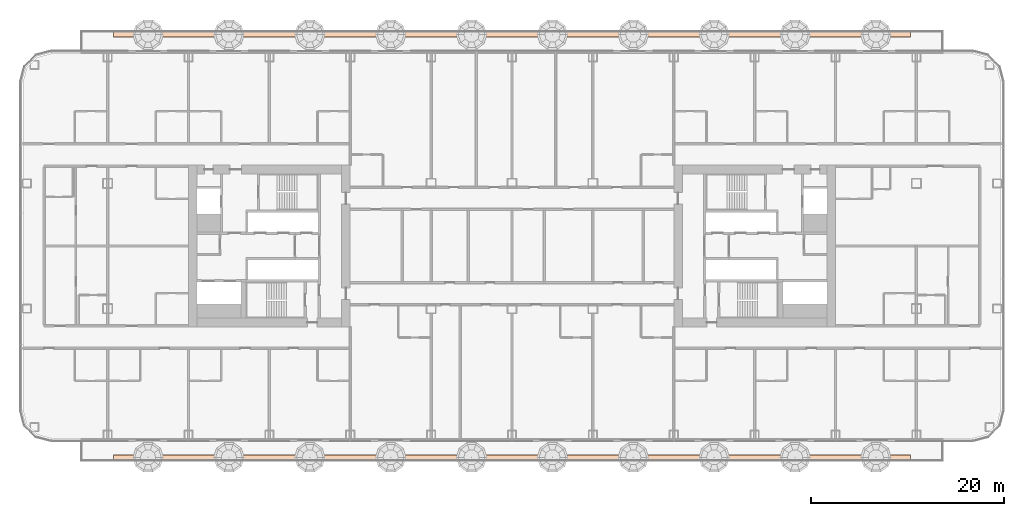
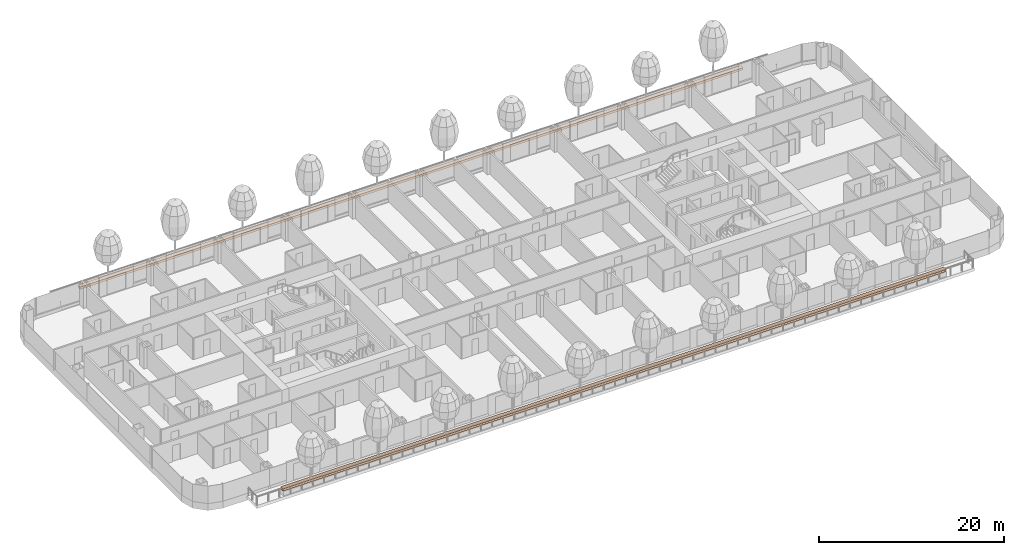
# One storey, part 31 of 35: 2 geographic elements.
"""IFC4 building model written with IfcOpenShell, lengths in metres."""

from ifc_helpers import new_model, si_unit, direction, frame, origin, origin_2d, place, context, subcontext, project, spatial, rectangle, extrude, material, type_object, element, save


model = new_model("IFC4")

# Units and contexts
model_context = context("Model", 3, precision=1e-05, world=origin(), true_north=direction((0.0, 1.0)))
body_context = subcontext(model_context, "Body", "Model", "MODEL_VIEW")
ifc_project = project(units=[si_unit("LENGTHUNIT", "METRE"), si_unit("AREAUNIT", "SQUARE_METRE"), si_unit("VOLUMEUNIT", "CUBIC_METRE"), si_unit("PLANEANGLEUNIT", "RADIAN"), si_unit("MASSUNIT", "GRAM", prefix="KILO")], contexts=[model_context])

# Site, building, storey
site_placement = place(None, origin())
site = spatial("IfcSite", under=ifc_project, at=site_placement, CompositionType="ELEMENT")
building_placement = place(site_placement, origin())
building = spatial("IfcBuilding", under=site, at=building_placement, Name="Hakoniwa Tower and Hamabe Station Hall", CompositionType="ELEMENT")
storey_placement = place(building_placement, frame((0.0, 0.0, 51.800048828125)))
storey = spatial("IfcBuildingStorey", under=building, at=storey_placement, Name="L14", CompositionType="ELEMENT", Elevation=51.800048828125)

# Geographic elements
ifc_material = material(Name="Shrub planting")
geographic_element_type = type_object("IfcGeographicElementType", Name="Shrub planting bed 500x300", PredefinedType="USERDEFINED", material=ifc_material)
for number, where, z_axis, x_axis, name in (
    (1, (0.0, 21.949951171875, 0.60009765625), (0.0, 0.0, 1.0), (1.0, 0.0, 0.0), "Shrub planting bed 500x300"),
    (2, (0.0, -21.949951171875, 0.60009765625), (0.0, 0.0, 1.0), (1.0, 0.0, 0.0), "Shrub planting bed 500x300"),
):
    element("IfcGeographicElement", number, at=place(storey_placement, frame(where, z_axis=z_axis, x_axis=x_axis)), inside=storey, type_object=geographic_element_type, Name=name, ObjectType="PLANTING", PredefinedType="USERDEFINED", context=body_context, shape_type="SweptSolid", body=[
        extrude(rectangle(XDim=82.800048828125, YDim=0.5, at=origin_2d()), origin(), (0.0, 0.0, 1.0), 0.300048828125),
    ])

save(model, "model.ifc")
